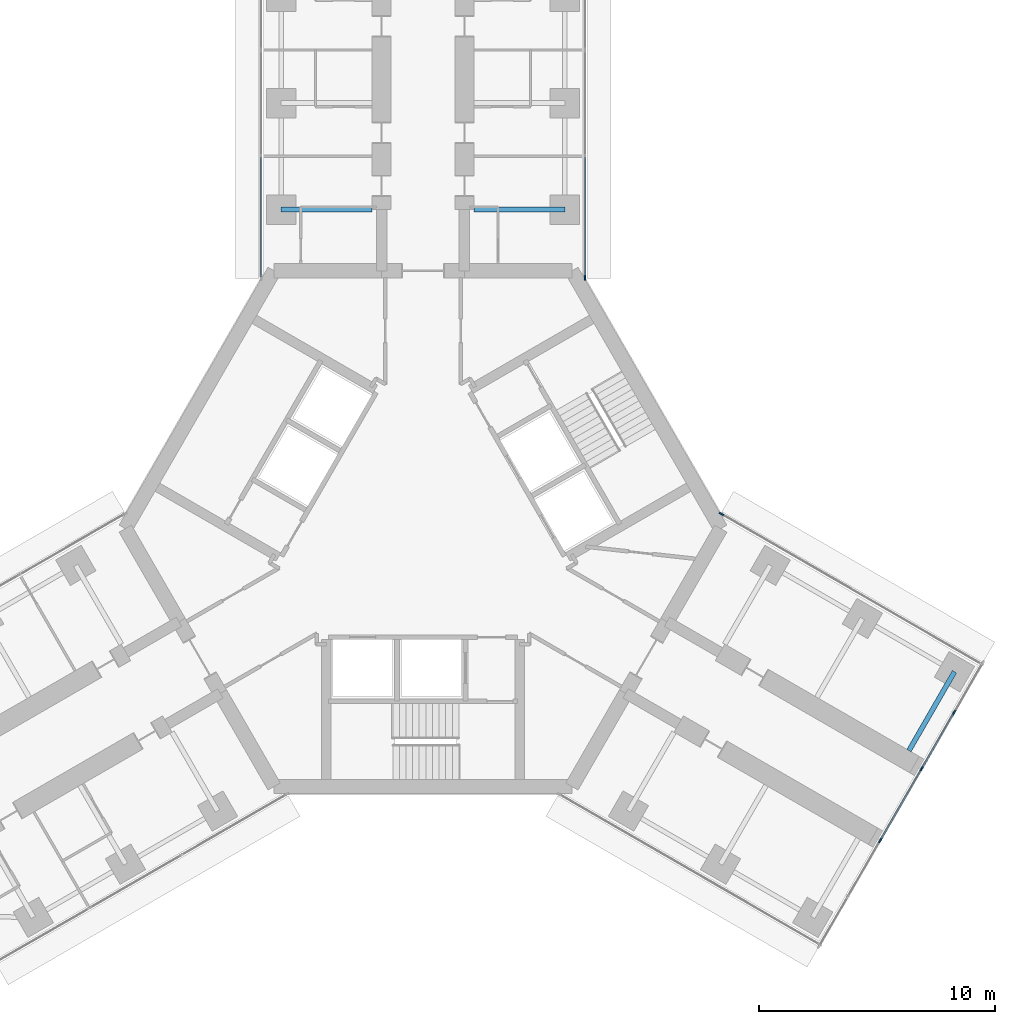
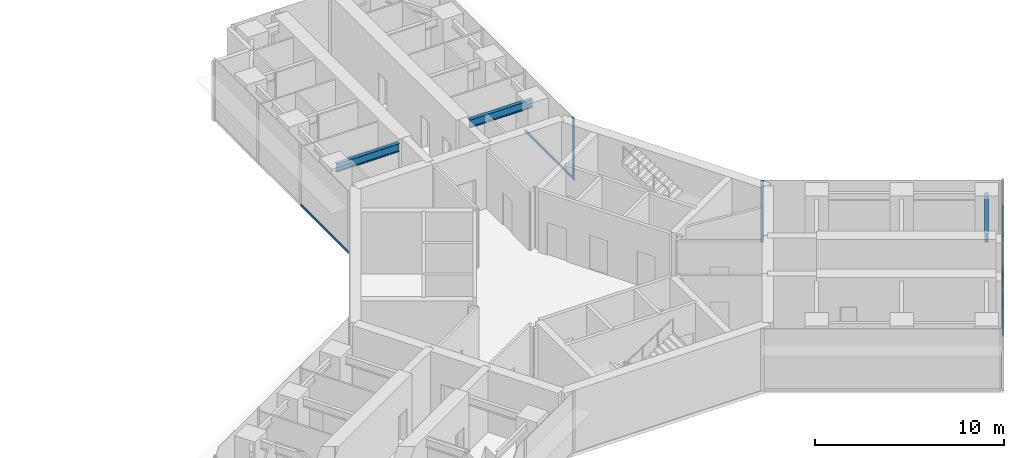
# One storey, part 10 of 23: 9 members, 3 beams, 4 elements without a shape of their own.
"""IFC4 building model written with IfcOpenShell, lengths in metres."""

from ifc_helpers import new_model, si_unit, direction, frame, origin, origin_2d, place, context, subcontext, project, spatial, rectangle, i_section, extrude, material, material_profile, profile_set, type_object, element, aggregate, save


model = new_model("IFC4")

# Units and contexts
model_context = context("Model", 3, precision=1e-05, world=origin(), true_north=direction((0.0, 1.0)))
body_context = subcontext(model_context, "Body", "Model", "MODEL_VIEW")
ifc_project = project(units=[si_unit("LENGTHUNIT", "METRE"), si_unit("AREAUNIT", "SQUARE_METRE"), si_unit("VOLUMEUNIT", "CUBIC_METRE"), si_unit("PLANEANGLEUNIT", "RADIAN"), si_unit("MASSUNIT", "GRAM", prefix="KILO")], contexts=[model_context])

# Site, building, storey
site_placement = place(None, origin())
site = spatial("IfcSite", under=ifc_project, at=site_placement, CompositionType="ELEMENT")
building_placement = place(site_placement, origin())
building = spatial("IfcBuilding", under=site, at=building_placement, Name="Upepo Twin Towers", CompositionType="ELEMENT")
storey_placement = place(building_placement, frame((0.0, 0.0, 153.5)))
storey = spatial("IfcBuildingStorey", under=building, at=storey_placement, Name="L37", CompositionType="ELEMENT", Elevation=153.5)

# Beams
ifc_material_1 = material(Name="Steel S355", Category="steel")
ifc_material_profile_1 = material_profile(ifc_material_1, i_section(OverallWidth=0.209228515625, OverallDepth=0.533203125, WebThickness=0.010009765625, FlangeThickness=0.015625, FilletRadius=0.0126953125, at=origin_2d()), Name="UB 533x210x92")
ifc_profile_set_1 = profile_set([ifc_material_profile_1], Name="Steel S355")
beam_type = type_object("IfcBeamType", Name="Beam UB 533x210x92", PredefinedType="BEAM", material=ifc_profile_set_1)
for number, where, z_axis, x_axis, name in (
    (1, (52.5, -4.5, 3.533447265625), (1.0, 0.0, 0.0), (0.0, 1.0, 0.0), "T2 girder AL at 13.5"),
    (2, (64.5, -4.5, 3.533447265625), (-1.0, 0.0, 0.0), (0.0, -1.0, 0.0), "T2 girder AR at 13.5"),
):
    element("IfcBeam", number, at=place(storey_placement, frame(where, z_axis=z_axis, x_axis=x_axis)), inside=storey, type_object=beam_type, Name=name, PredefinedType="BEAM", context=body_context, shape_type="SweptSolid", body=[
        extrude(i_section(OverallWidth=0.209228515625, OverallDepth=0.533203125, WebThickness=0.010009765625, FlangeThickness=0.015625, FilletRadius=0.0126953125, at=origin_2d()), origin(), (0.0, 0.0, 1.0), 3.85009765625),
    ])
beam_placement = place(storey_placement, frame((80.985595703125, -24.053955078125, 3.533447265625), z_axis=(-0.500033517596, -0.866006051527, 0.0), x_axis=(0.866006051527, -0.500033517596, 0.0)))
element("IfcBeam", 3, at=beam_placement, inside=storey, type_object=beam_type, Name="T2 girder CL at 22.5", PredefinedType="BEAM", context=body_context, shape_type="SweptSolid", body=[
    extrude(i_section(OverallWidth=0.209228515625, OverallDepth=0.533203125, WebThickness=0.010009765625, FlangeThickness=0.015625, FilletRadius=0.0126953125, at=origin_2d()), origin(), (0.0, 0.0, 1.0), 3.849853515625),
])

# Curtain wall, member
ifc_material_2 = material(Name="Aluminium and fritted glass", Category="aluminium")
curtain_wall_type = type_object("IfcCurtainWallType", Name="Tower curtain wall TW2, fritted glass", PredefinedType="NOTDEFINED", material=ifc_material_2)
curtain_wall_1_placement = place(storey_placement, origin())
curtain_wall_1 = element("IfcCurtainWall", 4, at=curtain_wall_1_placement, inside=storey, type_object=curtain_wall_type, Name="T2 L37 wing A flank R curtain wall", PredefinedType="NOTDEFINED")
ifc_material_3 = material(Name="Aluminium mullion", Category="aluminium")
ifc_material_profile_2 = material_profile(ifc_material_3, rectangle(XDim=0.06494140625, YDim=0.199951171875, at=origin_2d()), Name="MULLION 65x200")
ifc_profile_set_2 = profile_set([ifc_material_profile_2], Name="Aluminium mullion")
member_type_1 = type_object("IfcMemberType", Name="Mullion 65x200 TW2", PredefinedType="MULLION", material=ifc_profile_set_2)
member_1_placement = place(storey_placement, frame((65.35009765625, -7.38037109375, 0.0), z_axis=(0.0, 0.0, 1.0), x_axis=(1.0, 0.0, 0.0)))
member_1 = element("IfcMember", 5, at=member_1_placement, type_object=member_type_1, Name="T2 L37 wing A flank R curtain wall mullion 4", PredefinedType="MULLION", context=body_context, shape_type="SweptSolid", body=[
    extrude(rectangle(XDim=0.06494140625, YDim=0.199951171875, at=origin_2d()), origin(), (0.0, 0.0, 1.0), 4.0),
])

curtain_wall_2_placement = place(storey_placement, origin())
curtain_wall_2 = element("IfcCurtainWall", 6, at=curtain_wall_2_placement, inside=storey, type_object=curtain_wall_type, Name="T2 L37 wing C flank L curtain wall", PredefinedType="NOTDEFINED")
member_2_placement = place(storey_placement, frame((71.121826171875, -17.37744140625, 0.0), z_axis=(0.0, 0.0, 1.0), x_axis=(0.50000000792, 0.866025399212, 0.0)))
member_2 = element("IfcMember", 7, at=member_2_placement, type_object=member_type_1, Name="T2 L37 wing C flank L curtain wall mullion 1", PredefinedType="MULLION", context=body_context, shape_type="SweptSolid", body=[
    extrude(rectangle(XDim=0.06494140625, YDim=0.199951171875, at=origin_2d()), origin(), (0.0, 0.0, 1.0), 4.0),
])
aggregate(curtain_wall_2, [member_2])

# Curtain wall, members
curtain_wall_3_placement = place(storey_placement, origin())
curtain_wall_3 = element("IfcCurtainWall", 8, at=curtain_wall_3_placement, inside=storey, type_object=curtain_wall_type, Name="T2 L37 wing C nose curtain wall", PredefinedType="NOTDEFINED")
member_3_placement = place(storey_placement, frame((77.8466796875, -31.1904296875, 0.0), z_axis=(0.0, 0.0, 1.0), x_axis=(-0.866025419745, 0.499999972355, 0.0)))
member_3 = element("IfcMember", 9, at=member_3_placement, type_object=member_type_1, Name="T2 L37 wing C nose curtain wall mullion 3", PredefinedType="MULLION", context=body_context, shape_type="SweptSolid", body=[
    extrude(rectangle(XDim=0.06494140625, YDim=0.199951171875, at=origin_2d()), origin(), (0.0, 0.0, 1.0), 4.0),
])
member_4_placement = place(storey_placement, frame((79.5966796875, -28.159423828125, 0.0), z_axis=(0.0, 0.0, 1.0), x_axis=(-0.866025419745, 0.499999972355, 0.0)))
member_4 = element("IfcMember", 10, at=member_4_placement, type_object=member_type_1, Name="T2 L37 wing C nose curtain wall mullion 4", PredefinedType="MULLION", context=body_context, shape_type="SweptSolid", body=[
    extrude(rectangle(XDim=0.06494140625, YDim=0.199951171875, at=origin_2d()), origin(), (0.0, 0.0, 1.0), 4.0),
])
member_5_placement = place(storey_placement, frame((80.9716796875, -25.77783203125, 0.0), z_axis=(0.0, 0.0, 1.0), x_axis=(-0.866025419745, 0.499999972355, 0.0)))
member_5 = element("IfcMember", 11, at=member_5_placement, type_object=member_type_1, Name="T2 L37 wing C nose curtain wall mullion 5", PredefinedType="MULLION", context=body_context, shape_type="SweptSolid", body=[
    extrude(rectangle(XDim=0.06494140625, YDim=0.199951171875, at=origin_2d()), origin(), (0.0, 0.0, 1.0), 4.0),
])

# Curtain wall, member
curtain_wall_4_placement = place(storey_placement, origin())
curtain_wall_4 = element("IfcCurtainWall", 12, at=curtain_wall_4_placement, inside=storey, type_object=curtain_wall_type, Name="T2 L37 wing A flank L curtain wall", PredefinedType="NOTDEFINED")
ifc_material_4 = material(Name="Aluminium transom", Category="aluminium")
ifc_material_profile_3 = material_profile(ifc_material_4, rectangle(XDim=0.06494140625, YDim=0.14990234375, at=origin_2d()), Name="TRANSOM 65x150")
ifc_profile_set_3 = profile_set([ifc_material_profile_3], Name="Aluminium transom")
member_type_2 = type_object("IfcMemberType", Name="Transom 65x150 TW2", PredefinedType="USERDEFINED", material=ifc_profile_set_3)
member_6_placement = place(storey_placement, frame((51.64990234375, -7.347900390625, 0.074951171875), z_axis=(0.0, 1.0, 0.0), x_axis=(-1.0, 0.0, 0.0)))
member_6 = element("IfcMember", 13, at=member_6_placement, type_object=member_type_2, Name="T2 L37 wing A flank L curtain wall transom 1", ObjectType="TRANSOM", PredefinedType="USERDEFINED", context=body_context, shape_type="SweptSolid", body=[
    extrude(rectangle(XDim=0.06494140625, YDim=0.14990234375, at=origin_2d()), origin(), (0.0, 0.0, 1.0), 5.0654296875),
])
aggregate(curtain_wall_4, [member_6])

# Member
member_7_placement = place(storey_placement, frame((65.35009765625, -2.282470703125, 0.074951171875), z_axis=(0.0, -1.0, 0.0), x_axis=(1.0, 0.0, 0.0)))
member_7 = element("IfcMember", 14, at=member_7_placement, type_object=member_type_2, Name="T2 L37 wing A flank R curtain wall transom 3", ObjectType="TRANSOM", PredefinedType="USERDEFINED", context=body_context, shape_type="SweptSolid", body=[
    extrude(rectangle(XDim=0.06494140625, YDim=0.14990234375, at=origin_2d()), origin(), (0.0, 0.0, 1.0), 5.0654296875),
])

aggregate(curtain_wall_1, [member_1, member_7])

member_8_placement = place(storey_placement, frame((77.863037109375, -31.162353515625, 0.074951171875), z_axis=(0.499945997713, 0.866056579774, 0.0), x_axis=(-0.866056579774, 0.499945997713, 0.0)))
member_8 = element("IfcMember", 15, at=member_8_placement, type_object=member_type_2, Name="T2 L37 wing C nose curtain wall transom 3", ObjectType="TRANSOM", PredefinedType="USERDEFINED", context=body_context, shape_type="SweptSolid", body=[
    extrude(rectangle(XDim=0.06494140625, YDim=0.14990234375, at=origin_2d()), origin(), (0.0, 0.0, 1.0), 3.43505859375),
])

member_9_placement = place(storey_placement, frame((79.613037109375, -28.13134765625, 0.074951171875), z_axis=(0.49995335277, 0.8660523339, 0.0), x_axis=(-0.8660523339, 0.49995335277, 0.0)))
member_9 = element("IfcMember", 16, at=member_9_placement, type_object=member_type_2, Name="T2 L37 wing C nose curtain wall transom 4", ObjectType="TRANSOM", PredefinedType="USERDEFINED", context=body_context, shape_type="SweptSolid", body=[
    extrude(rectangle(XDim=0.06494140625, YDim=0.14990234375, at=origin_2d()), origin(), (0.0, 0.0, 1.0), 2.684814453125),
])

aggregate(curtain_wall_3, [member_3, member_4, member_5, member_8, member_9])

save(model, "model.ifc")
